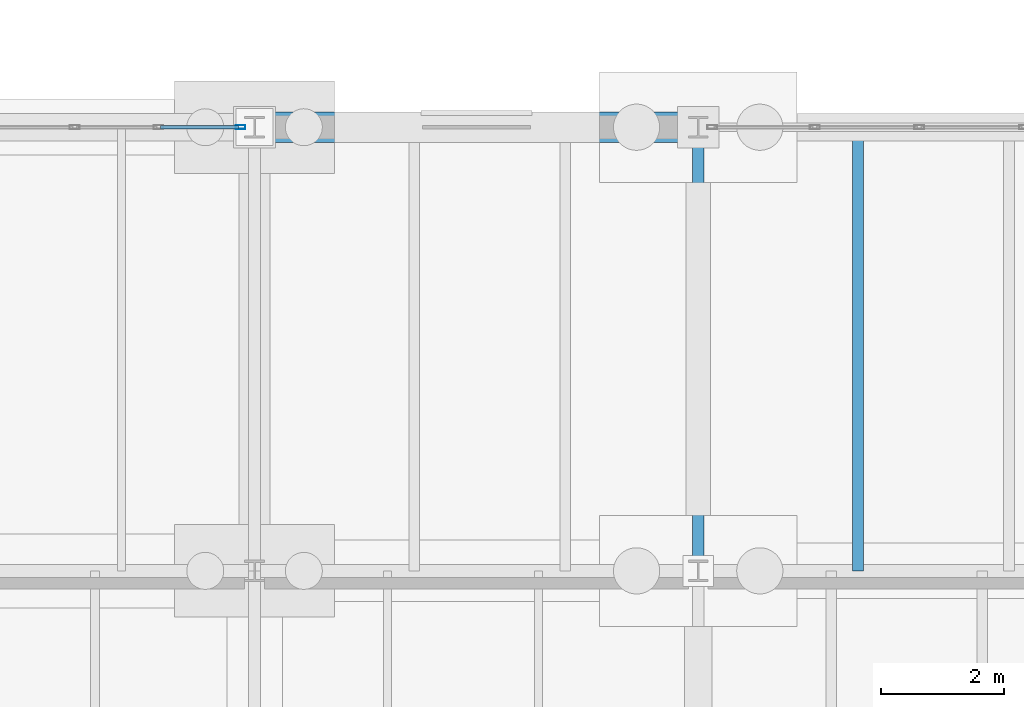
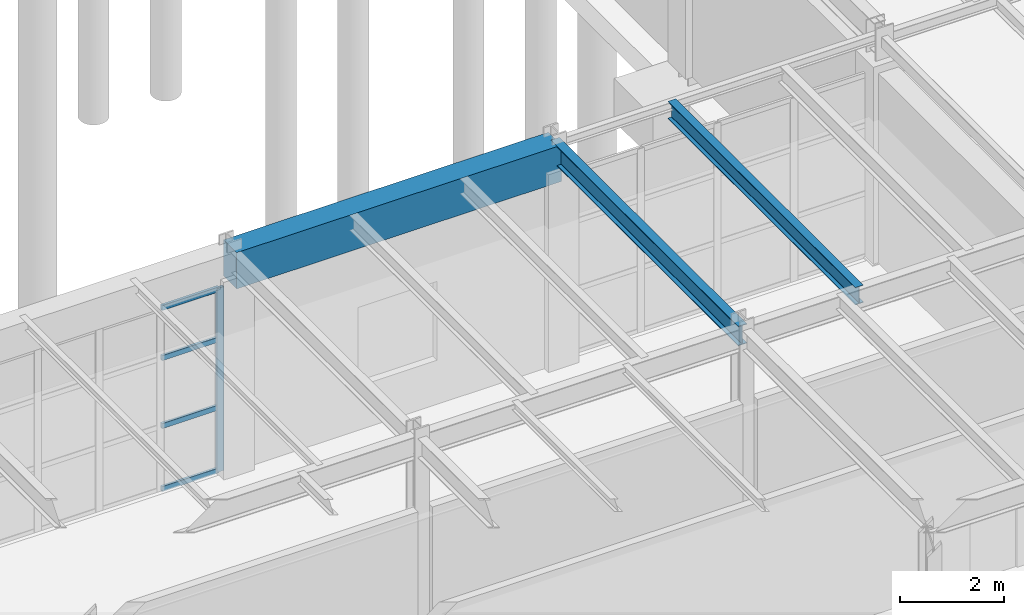
# One storey, part 159 of 293: 5 members, 3 beams, 1 element without a shape of its own.
"""IFC4 building model written with IfcOpenShell, lengths in metres."""

from ifc_helpers import new_model, si_unit, direction, frame, origin, origin_2d, place, context, subcontext, project, spatial, rectangle, hollow_rectangle, i_section, extrude, material, layer, layer_set, material_profile, profile_set, type_object, element, aggregate, save


model = new_model("IFC4")

# Units and contexts
model_context = context("Model", 3, precision=1e-05, world=origin(), true_north=direction((0.0, 1.0)))
body_context = subcontext(model_context, "Body", "Model", "MODEL_VIEW")
ifc_project = project(units=[si_unit("LENGTHUNIT", "METRE"), si_unit("AREAUNIT", "SQUARE_METRE"), si_unit("VOLUMEUNIT", "CUBIC_METRE"), si_unit("PLANEANGLEUNIT", "RADIAN"), si_unit("MASSUNIT", "GRAM", prefix="KILO")], contexts=[model_context])

# Site, building, storey
site_placement = place(None, origin())
site = spatial("IfcSite", under=ifc_project, at=site_placement, CompositionType="ELEMENT")
building_placement = place(site_placement, origin())
building = spatial("IfcBuilding", under=site, at=building_placement, Name="Kemerveld Promenade Tramway Depot", CompositionType="ELEMENT")
storey_placement = place(building_placement, origin())
storey = spatial("IfcBuildingStorey", under=building, at=storey_placement, Name="L00", CompositionType="ELEMENT", Elevation=0.0)

# Beams
ifc_material_1 = material(Name="Steel S355", Category="steel")
ifc_material_profile_1 = material_profile(ifc_material_1, i_section(OverallWidth=0.19140625, OverallDepth=0.4599609375, WebThickness=0.010009765625, FlangeThickness=0.01611328125, FilletRadius=0.01025390625, at=origin_2d()), Name="457x191x82 UB")
ifc_profile_set_1 = profile_set([ifc_material_profile_1], Name="Steel S355")
beam_type_1 = type_object("IfcBeamType", Name="BM-G06", PredefinedType="BEAM", material=ifc_profile_set_1)
beam_1_placement = place(storey_placement, frame((151.199951171875, 21.60009765625, 4.945068359375), z_axis=(0.0, 1.0, 0.0), x_axis=(-1.0, 0.0, 0.0)))
element("IfcBeam", 1, at=beam_1_placement, inside=storey, type_object=beam_type_1, Name="BMY-L00-22-D-E", PredefinedType="BEAM", context=body_context, shape_type="SweptSolid", body=[
    extrude(i_section(OverallWidth=0.19140625, OverallDepth=0.4599609375, WebThickness=0.010009765625, FlangeThickness=0.01611328125, FilletRadius=0.01025390625, at=origin_2d()), origin(), (0.0, 0.0, 1.0), 7.199951171875),
])
ifc_material_profile_2 = material_profile(ifc_material_1, i_section(OverallWidth=0.1787109375, OverallDepth=0.409423828125, WebThickness=0.0087890625, FlangeThickness=0.014404296875, FilletRadius=0.01025390625, at=origin_2d()), Name="406x178x67 UB")
ifc_profile_set_2 = profile_set([ifc_material_profile_2], Name="Steel S355")
beam_type_2 = type_object("IfcBeamType", Name="BM-J05", PredefinedType="JOIST", material=ifc_profile_set_2)
beam_2_placement = place(storey_placement, frame((153.7919921875, 21.60009765625, 4.97021484375), z_axis=(0.0, 1.0, 0.0), x_axis=(-1.0, 0.0, 0.0)))
element("IfcBeam", 2, at=beam_2_placement, inside=storey, type_object=beam_type_2, Name="JST-L00-22-D-1", PredefinedType="JOIST", context=body_context, shape_type="SweptSolid", body=[
    extrude(i_section(OverallWidth=0.1787109375, OverallDepth=0.409423828125, WebThickness=0.0087890625, FlangeThickness=0.014404296875, FilletRadius=0.01025390625, at=origin_2d()), origin(), (0.0, 0.0, 1.0), 7.199951171875),
])
ifc_material_2 = material(Name="Concrete C40/50", Category="concrete")
ifc_material_profile_3 = material_profile(ifc_material_2, rectangle(XDim=0.5, YDim=0.85009765625, at=origin_2d()), Name="RC-BM-500x850")
ifc_profile_set_3 = profile_set([ifc_material_profile_3], Name="Concrete C40/50")
beam_type_3 = type_object("IfcBeamType", Name="BM-RC7", PredefinedType="BEAM", material=ifc_profile_set_3)
beam_3_placement = place(storey_placement, frame((144.0, 28.800048828125, 4.75), z_axis=(1.0, 0.0, 0.0), x_axis=(0.0, 1.0, 0.0)))
element("IfcBeam", 3, at=beam_3_placement, inside=storey, type_object=beam_type_3, Name="BMX-L00-21-22-E", PredefinedType="BEAM", context=body_context, shape_type="SweptSolid", body=[
    extrude(rectangle(XDim=0.5, YDim=0.85009765625, at=origin_2d()), origin(), (0.0, 0.0, 1.0), 7.199951171875),
])

# Curtain wall, members
ifc_material_3 = material(Name="Bronze anodised aluminium and solar glass", Category="aluminium")
ifc_layer = layer(ifc_material_3, 0.159912109375)
ifc_layer_set = layer_set([ifc_layer], Name="CW-SYS-01")
curtain_wall_type = type_object("IfcCurtainWallType", Name="CW-SYS-01", PredefinedType="USERDEFINED", material=ifc_layer_set)
curtain_wall_placement = place(storey_placement, origin())
curtain_wall = element("IfcCurtainWall", 4, at=curtain_wall_placement, inside=storey, type_object=curtain_wall_type, Name="CW-L00-V4N-12", ObjectType="GLAZED_CURTAIN_WALL", PredefinedType="USERDEFINED")
ifc_material_4 = material(Name="Bronze anodised aluminium", Category="aluminium")
ifc_material_profile_4 = material_profile(ifc_material_4, hollow_rectangle(XDim=0.06494140625, YDim=0.159912109375, WallThickness=0.00390625, InnerFilletRadius=0.001953125, OuterFilletRadius=0.00390625, at=origin_2d()), Name="CW-MUL-160x65")
ifc_profile_set_4 = profile_set([ifc_material_profile_4], Name="Bronze anodised aluminium")
member_type_1 = type_object("IfcMemberType", Name="CW-MUL-A", PredefinedType="MULLION", material=ifc_profile_set_4)
member_1_placement = place(storey_placement, frame((143.771240234375, 28.800048828125, 0.0), z_axis=(0.0, 0.0, 1.0), x_axis=(0.0, 1.0, 0.0)))
member_1 = element("IfcMember", 5, at=member_1_placement, type_object=member_type_1, Name="CW01 mullion 6", PredefinedType="MULLION", context=body_context, shape_type="SweptSolid", body=[
    extrude(hollow_rectangle(XDim=0.06494140625, YDim=0.159912109375, WallThickness=0.00390625, InnerFilletRadius=0.001953125, OuterFilletRadius=0.00390625, at=origin_2d()), origin(), (0.0, 0.0, 1.0), 4.304931640625),
])
ifc_material_profile_5 = material_profile(ifc_material_4, hollow_rectangle(XDim=0.06005859375, YDim=0.1201171875, WallThickness=0.00390625, InnerFilletRadius=0.001953125, OuterFilletRadius=0.00390625, at=origin_2d()), Name="CW-TRN-120x60")
ifc_profile_set_5 = profile_set([ifc_material_profile_5], Name="Bronze anodised aluminium")
member_type_2 = type_object("IfcMemberType", Name="CW-TRN-A", PredefinedType="USERDEFINED", material=ifc_profile_set_5)
member_2_placement = place(storey_placement, frame((142.474853515625, 28.800048828125, 0.030029296875), z_axis=(1.0, 0.0, 0.0), x_axis=(0.0, 1.0, 0.0)))
member_2 = element("IfcMember", 6, at=member_2_placement, type_object=member_type_2, Name="CW01 transom 5.1", ObjectType="TRANSOM", PredefinedType="USERDEFINED", context=body_context, shape_type="SweptSolid", body=[
    extrude(hollow_rectangle(XDim=0.06005859375, YDim=0.1201171875, WallThickness=0.00390625, InnerFilletRadius=0.001953125, OuterFilletRadius=0.00390625, at=origin_2d()), origin(), (0.0, 0.0, 1.0), 1.263916015625),
])
member_3_placement = place(storey_placement, frame((142.474853515625, 28.800048828125, 1.507080078125), z_axis=(1.0, 0.0, 0.0), x_axis=(0.0, 1.0, 0.0)))
member_3 = element("IfcMember", 7, at=member_3_placement, type_object=member_type_2, Name="CW01 transom 5.2", ObjectType="TRANSOM", PredefinedType="USERDEFINED", context=body_context, shape_type="SweptSolid", body=[
    extrude(hollow_rectangle(XDim=0.06005859375, YDim=0.1201171875, WallThickness=0.00390625, InnerFilletRadius=0.001953125, OuterFilletRadius=0.00390625, at=origin_2d()), origin(), (0.0, 0.0, 1.0), 1.263916015625),
])
member_4_placement = place(storey_placement, frame((142.474853515625, 28.800048828125, 3.10009765625), z_axis=(1.0, 0.0, 0.0), x_axis=(0.0, 1.0, 0.0)))
member_4 = element("IfcMember", 8, at=member_4_placement, type_object=member_type_2, Name="CW01 transom 5.3", ObjectType="TRANSOM", PredefinedType="USERDEFINED", context=body_context, shape_type="SweptSolid", body=[
    extrude(hollow_rectangle(XDim=0.06005859375, YDim=0.1201171875, WallThickness=0.00390625, InnerFilletRadius=0.001953125, OuterFilletRadius=0.00390625, at=origin_2d()), origin(), (0.0, 0.0, 1.0), 1.263916015625),
])
member_5_placement = place(storey_placement, frame((142.474853515625, 28.800048828125, 4.27490234375), z_axis=(1.0, 0.0, 0.0), x_axis=(0.0, 1.0, 0.0)))
member_5 = element("IfcMember", 9, at=member_5_placement, type_object=member_type_2, Name="CW01 transom 5.4", ObjectType="TRANSOM", PredefinedType="USERDEFINED", context=body_context, shape_type="SweptSolid", body=[
    extrude(hollow_rectangle(XDim=0.06005859375, YDim=0.1201171875, WallThickness=0.00390625, InnerFilletRadius=0.001953125, OuterFilletRadius=0.00390625, at=origin_2d()), origin(), (0.0, 0.0, 1.0), 1.263916015625),
])
aggregate(curtain_wall, [member_1, member_2, member_3, member_4, member_5])

save(model, "model.ifc")
